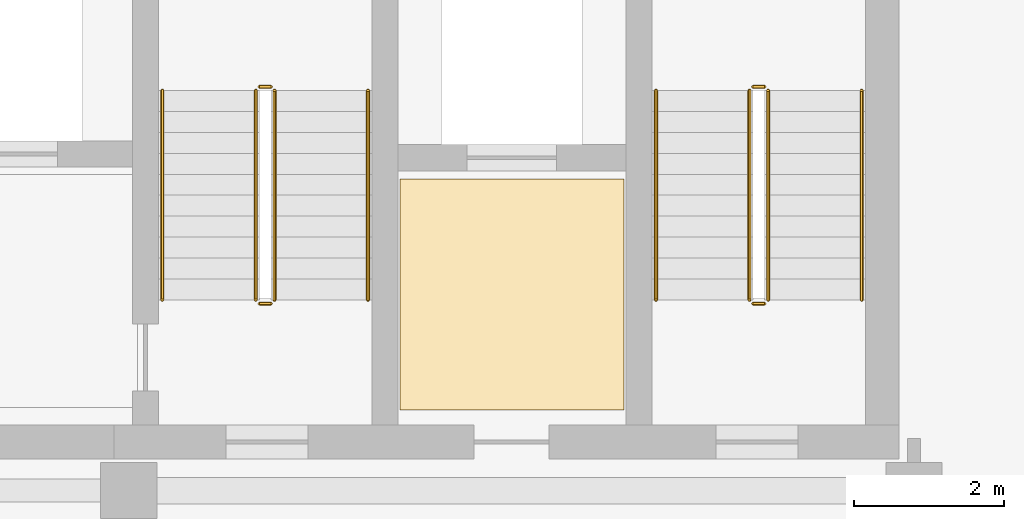
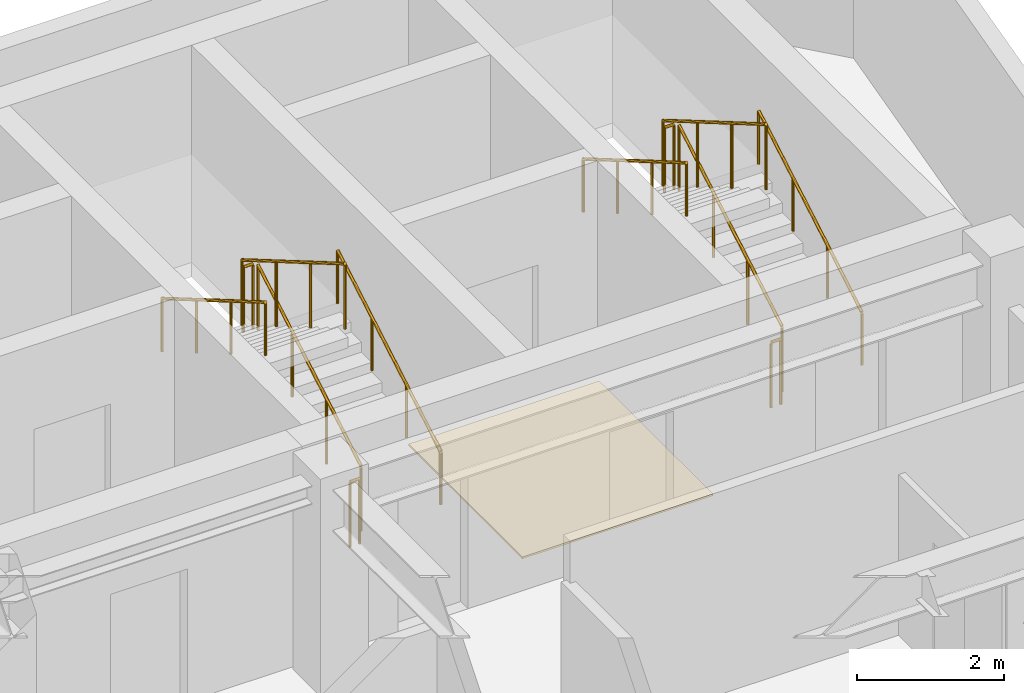
# One storey, part 20 of 20: 12 railings, 1 covering.
"""IFC4 building model written with IfcOpenShell, lengths in metres."""

import ifcopenshell
import ifcopenshell.guid

model = None  # the IFC model being written
_history = None  # IfcOwnerHistory: only IFC2X3 demands one
_inside = {}  # id of a spatial element -> (the spatial element, [elements in it])
_under = {}  # id of a project, library or spatial element -> (it, [spatial elements below it])
_declared = {}  # id of a project -> (the project, [libraries it declares])
_typed = {}  # id of a type object -> (the type object, [elements of that type])
_made_of = {}  # id of a material, layer set ... -> (it, [elements and type objects made of it])


def new_model(schema):
    """Start an empty IFC model of exactly this schema.

    Asked for "IFC4X3", IfcOpenShell would pick the latest addendum, in which some entities
    have other attributes; the version numbers below select the first issue.
    IFC2X3 requires an IfcOwnerHistory on every rooted entity: one is made here for all.
    """
    global model, _history
    if schema == "IFC4X3":
        model = ifcopenshell.file(schema_version=(4, 3, 0, 0))
    else:
        model = ifcopenshell.file(schema=schema)
    _inside.clear()
    _under.clear()
    _declared.clear()
    _typed.clear()
    _made_of.clear()
    _history = None
    if model.schema == "IFC2X3":
        org = make("IfcOrganization", Name="unknown")
        user = make(
            "IfcPersonAndOrganization",
            ThePerson=make("IfcPerson", FamilyName="unknown"),
            TheOrganization=org,
        )
        app = make(
            "IfcApplication",
            ApplicationDeveloper=org,
            Version="unknown",
            ApplicationFullName="unknown",
            ApplicationIdentifier="unknown",
        )
        _history = make(
            "IfcOwnerHistory",
            OwningUser=user,
            OwningApplication=app,
            ChangeAction="ADDED",
            CreationDate=0,
        )
    return model


def make(cls, **values):
    """One entity of the class cls with the attributes given. An attribute that is None is left unset."""
    return model.create_entity(
        cls, **{name: value for name, value in values.items() if value is not None}
    )


def rooted(cls, **values):
    """An entity with a GlobalId (a new one), such as an element, a storey or a relation."""
    return make(cls, GlobalId=ifcopenshell.guid.new(), OwnerHistory=_history, **values)


def si_unit(unit_type, name, prefix=None):
    """IfcSIUnit, for example si_unit("LENGTHUNIT", "METRE", prefix="MILLI")."""
    return make("IfcSIUnit", UnitType=unit_type, Prefix=prefix, Name=name)


def assignment(units):
    """IfcUnitAssignment: the units of a project."""
    return None if units is None else make("IfcUnitAssignment", Units=units)


def point(xyz):
    """IfcCartesianPoint."""
    return None if xyz is None else make("IfcCartesianPoint", Coordinates=xyz)


def direction(xyz):
    """IfcDirection."""
    return None if xyz is None else make("IfcDirection", DirectionRatios=xyz)


def frame(location, z_axis=None, x_axis=None):
    """IfcAxis2Placement3D, a coordinate frame: its origin and axes. An axis left out is left unset."""
    return make(
        "IfcAxis2Placement3D",
        Location=point(location),
        Axis=direction(z_axis),
        RefDirection=direction(x_axis),
    )


def frame_2d(location, x_axis=None):
    """IfcAxis2Placement2D, a coordinate frame in the plane: its origin and x axis."""
    return make(
        "IfcAxis2Placement2D", Location=point(location), RefDirection=direction(x_axis)
    )


def origin():
    """The frame at (0, 0, 0) with its axes left unset."""
    return frame((0.0, 0.0, 0.0))


def origin_2d():
    """The frame at (0, 0) in the plane with its x axis left unset."""
    return frame_2d((0.0, 0.0))


def place(relative_to, where):
    """IfcLocalPlacement: puts the frame where relative to a parent placement (None: the world)."""
    return make(
        "IfcLocalPlacement", PlacementRelTo=relative_to, RelativePlacement=where
    )


def context(
    kind, dimensions, precision=None, world=None, true_north=None, identifier=None
):
    """IfcGeometricRepresentationContext, for example the 3D "Model" context."""
    return make(
        "IfcGeometricRepresentationContext",
        ContextIdentifier=identifier,
        ContextType=kind,
        CoordinateSpaceDimension=dimensions,
        Precision=precision,
        WorldCoordinateSystem=world,
        TrueNorth=true_north,
    )


def subcontext(parent, identifier, kind, view, scale=None):
    """IfcGeometricRepresentationSubContext, for example "Body" below "Model"."""
    return make(
        "IfcGeometricRepresentationSubContext",
        ContextIdentifier=identifier,
        ContextType=kind,
        ParentContext=parent,
        TargetScale=scale,
        TargetView=view,
    )


def project(units=None, contexts=None):
    """IfcProject with its units and contexts."""
    return rooted(
        "IfcProject",
        Name="project",
        RepresentationContexts=contexts,
        UnitsInContext=assignment(units),
    )


def spatial(cls, under=None, at=None, **own):
    """A site, building, storey or space (cls), placed at a placement, below another one or the project."""
    s = rooted(cls, ObjectPlacement=at, **own)
    if under is not None:
        _under.setdefault(under.id(), (under, []))[1].append(s)
    return s


def polyline(points):
    """IfcPolyline through the points."""
    return make("IfcPolyline", Points=[point(p) for p in points])


def profile(cls, at=None, kind="AREA", **sizes):
    """A parametric profile (cls). Its sizes go by their IFC names, for example OverallWidth=200.0."""
    return make(cls, ProfileType=kind, Position=at, **sizes)


def circle(**sizes):
    """IfcCircleProfileDef."""
    return profile("IfcCircleProfileDef", **sizes)


def outline(outer, holes=None, kind="AREA"):
    """IfcArbitraryClosedProfileDef: a profile drawn as a closed curve; with holes, ...WithVoids."""
    if holes is None:
        return make("IfcArbitraryClosedProfileDef", ProfileType=kind, OuterCurve=outer)
    return make(
        "IfcArbitraryProfileDefWithVoids",
        ProfileType=kind,
        OuterCurve=outer,
        InnerCurves=holes,
    )


def extrude(swept, where, along, depth):
    """IfcExtrudedAreaSolid: the profile swept, set in the frame where, extruded along a direction by depth."""
    return make(
        "IfcExtrudedAreaSolid",
        SweptArea=swept,
        Position=where,
        ExtrudedDirection=direction(along),
        Depth=depth,
    )


def shape(context_of_items, identifier, shape_type, items):
    """IfcShapeRepresentation: the items that make up one representation, for example the "Body"."""
    return make(
        "IfcShapeRepresentation",
        ContextOfItems=context_of_items,
        RepresentationIdentifier=identifier,
        RepresentationType=shape_type,
        Items=items,
    )


def material(Name=None, Category=None):
    """IfcMaterial."""
    return make("IfcMaterial", Name=Name, Category=Category)


def layer(
    of_material, thickness, ventilated=None, Name=None, Category=None, Priority=None
):
    """IfcMaterialLayer: one layer of a wall or slab, of a material (None: an air gap)."""
    return make(
        "IfcMaterialLayer",
        Material=of_material,
        LayerThickness=thickness,
        IsVentilated=ventilated,
        Name=Name,
        Category=Category,
        Priority=Priority,
    )


def layer_set(layers, Name=None):
    """IfcMaterialLayerSet."""
    return make("IfcMaterialLayerSet", MaterialLayers=layers, LayerSetName=Name)


def made_of(thing, what):
    """Note that an element or type object is made of a material, layer set ...; save() writes the relation."""
    if what is not None:
        _made_of.setdefault(what.id(), (what, []))[1].append(thing)
    return thing


def type_object(cls, material=None, **own):
    """A type object (cls), such as IfcWallType, which elements share."""
    return made_of(rooted(cls, **own), material)


def element(
    cls,
    number,
    at=None,
    inside=None,
    cuts=None,
    type_object=None,
    material=None,
    context=None,
    identifier="Body",
    shape_type=None,
    held_by="IfcProductDefinitionShape",
    body=None,
    shapes=None,
    **own,
):
    """One element of the class cls, such as IfcWall. Its Tag is "e" and its number.

    at: its placement. inside: the storey or other place that contains it. cuts: it is an
    opening in that element (IfcRelVoidsElement). A single representation is given by context,
    identifier, shape_type and body (its items); several are given by shapes. held_by: the class
    of the entity that holds the representations. save() writes the other relations.
    """
    e = rooted(cls, Tag="e%d" % number, ObjectPlacement=at, **own)
    if body is not None:
        shapes = [shape(context, identifier, shape_type, body)]
    if shapes is not None:
        e.Representation = make(held_by, Representations=shapes)
    if inside is not None:
        _inside.setdefault(inside.id(), (inside, []))[1].append(e)
    if cuts is not None:
        rooted(
            "IfcRelVoidsElement", RelatingBuildingElement=cuts, RelatedOpeningElement=e
        )
    if type_object is not None:
        _typed.setdefault(type_object.id(), (type_object, []))[1].append(e)
    return made_of(e, material)


def aggregate(whole, parts):
    """IfcRelAggregates: a whole, such as a stair, and the parts it consists of."""
    return rooted("IfcRelAggregates", RelatingObject=whole, RelatedObjects=parts)


def save(model, path):
    """Write the relations noted so far, then the file.

    IfcRelAggregates (storeys below a building ...), IfcRelContainedInSpatialStructure (elements
    in a storey), IfcRelDefinesByType, IfcRelAssociatesMaterial and IfcRelDeclares: one each for
    every whole, place, type object, material and project.
    """
    for whole, parts in _under.values():
        aggregate(whole, parts)
    for where, things in _inside.values():
        rooted(
            "IfcRelContainedInSpatialStructure",
            RelatedElements=things,
            RelatingStructure=where,
        )
    for kind, things in _typed.values():
        rooted("IfcRelDefinesByType", RelatedObjects=things, RelatingType=kind)
    for what, things in _made_of.values():
        rooted("IfcRelAssociatesMaterial", RelatedObjects=things, RelatingMaterial=what)
    for by, libraries in _declared.values():
        rooted("IfcRelDeclares", RelatingContext=by, RelatedDefinitions=libraries)
    model.write(path)


model = new_model("IFC4")

# Units and contexts
model_context = context("Model", 3, precision=1e-05, world=origin(), true_north=direction((0.0, 1.0)))
body_context = subcontext(model_context, "Body", "Model", "MODEL_VIEW")
ifc_project = project(units=[si_unit("LENGTHUNIT", "METRE"), si_unit("AREAUNIT", "SQUARE_METRE"), si_unit("VOLUMEUNIT", "CUBIC_METRE"), si_unit("PLANEANGLEUNIT", "RADIAN"), si_unit("MASSUNIT", "GRAM", prefix="KILO")], contexts=[model_context])

# Site, building, storey
site_placement = place(None, origin())
site = spatial("IfcSite", under=ifc_project, at=site_placement, CompositionType="ELEMENT")
building_placement = place(site_placement, origin())
building = spatial("IfcBuilding", under=site, at=building_placement, Name="Kravanh Interchange Tower", CompositionType="ELEMENT")
storey_placement = place(building_placement, frame((0.0, 0.0, 252.60009765625)))
storey = spatial("IfcBuildingStorey", under=building, at=storey_placement, Name="L61", CompositionType="ELEMENT", Elevation=252.60009765625)

# Covering
ifc_material_1 = material(Name="Cementitious Terrazzo Tile")
ifc_layer_1 = layer(ifc_material_1, 0.030029296875)
ifc_layer_set_1 = layer_set([ifc_layer_1], Name="Honed Terrazzo Lobby Flooring 30mm")
covering_type = type_object("IfcCoveringType", Name="Honed Terrazzo Lobby Flooring 30mm", PredefinedType="FLOORING", material=ifc_layer_set_1)
covering_placement = place(storey_placement, origin())
element("IfcCovering", 1, at=covering_placement, inside=storey, type_object=covering_type, Name="L61 Service Lift Lobby Floor Finish", PredefinedType="FLOORING", context=body_context, shape_type="SweptSolid", body=[
    extrude(outline(polyline([(59.6298828125, 41.52001953125), (62.6201171875, 41.52001953125), (62.6201171875, 38.429931640625), (59.6298828125, 38.429931640625), (59.6298828125, 41.52001953125)])), origin(), (0.0, 0.0, 1.0), 0.02978515625),
])

# Railings
ifc_material_2 = material(Name="Structural Steel S355", Category="steel")
ifc_layer_2 = layer(ifc_material_2, 0.050048828125)
ifc_layer_set_2 = layer_set([ifc_layer_2], Name="Stair Well Guardrail Structural Steel S355 1100mm")
railing_type_1 = type_object("IfcRailingType", Name="Stair Well Guardrail Structural Steel S355 1100mm", PredefinedType="GUARDRAIL", material=ifc_layer_set_2)
railing_1_placement = place(storey_placement, frame((64.550048828125, 39.89990234375, 0.16357421875)))
element("IfcRailing", 2, at=railing_1_placement, inside=storey, type_object=railing_type_1, Name="L61 ST1 stair guard 1", PredefinedType="GUARDRAIL", context=body_context, shape_type="SweptSolid", body=[
    extrude(circle(Radius=0.02392578125, at=origin_2d()), frame((0.0, 0.0, 1.076171875), z_axis=(0.0, 0.863393664356, 0.504530851732), x_axis=(-1.0, 0.0, 0.0)), (0.0, 0.0, 1.0), 3.2431640625),
    extrude(circle(Radius=0.02099609375, at=origin_2d()), origin(), (0.0, 0.0, 1.0), 1.052001953125),
    extrude(circle(Radius=0.02099609375, at=origin_2d()), frame((0.0, 0.933349609375, 0.54541015625)), (0.0, 0.0, 1.0), 1.052001953125),
    extrude(circle(Radius=0.02099609375, at=origin_2d()), frame((0.0, 1.86669921875, 1.0908203125)), (0.0, 0.0, 1.0), 1.052001953125),
    extrude(circle(Radius=0.02099609375, at=origin_2d()), frame((0.0, 2.800048828125, 1.63623046875)), (0.0, 0.0, 1.0), 1.052001953125),
])
railing_2_placement = place(storey_placement, frame((64.5, 42.75, 1.7998046875)))
element("IfcRailing", 3, at=railing_2_placement, inside=storey, type_object=railing_type_1, Name="L61 ST1 stair guard 2", PredefinedType="GUARDRAIL", context=body_context, shape_type="SweptSolid", body=[
    extrude(circle(Radius=0.02392578125, at=origin_2d()), frame((0.0, 0.0, 1.076171875), z_axis=(-1.0, 0.0, 0.0), x_axis=(0.0, -1.0, 0.0)), (0.0, 0.0, 1.0), 0.14990234375),
    extrude(circle(Radius=0.02099609375, at=origin_2d()), origin(), (0.0, 0.0, 1.0), 1.052001953125),
    extrude(circle(Radius=0.02099609375, at=origin_2d()), frame((-0.14990234375, 0.0, 0.0)), (0.0, 0.0, 1.0), 1.052001953125),
])
railing_3_placement = place(storey_placement, frame((64.300048828125, 42.699951171875, 1.963623046875)))
element("IfcRailing", 4, at=railing_3_placement, inside=storey, type_object=railing_type_1, Name="L61 ST1 stair guard 3", PredefinedType="GUARDRAIL", context=body_context, shape_type="SweptSolid", body=[
    extrude(circle(Radius=0.02392578125, at=origin_2d()), frame((0.0, 0.0, 1.076171875), z_axis=(0.0, -0.863393664356, 0.504530851732), x_axis=(1.0, 0.0, 0.0)), (0.0, 0.0, 1.0), 3.2431640625),
    extrude(circle(Radius=0.02099609375, at=origin_2d()), origin(), (0.0, 0.0, 1.0), 1.052001953125),
    extrude(circle(Radius=0.02099609375, at=origin_2d()), frame((0.0, -0.933349609375, 0.54541015625)), (0.0, 0.0, 1.0), 1.052001953125),
    extrude(circle(Radius=0.02099609375, at=origin_2d()), frame((0.0, -1.86669921875, 1.0908203125)), (0.0, 0.0, 1.0), 1.052001953125),
    extrude(circle(Radius=0.02099609375, at=origin_2d()), frame((0.0, -2.800048828125, 1.63623046875)), (0.0, 0.0, 1.0), 1.052001953125),
])
railing_4_placement = place(storey_placement, frame((64.5, 39.85009765625, 0.0)))
element("IfcRailing", 5, at=railing_4_placement, inside=storey, type_object=railing_type_1, Name="L61 ST1 stair guard 4", PredefinedType="GUARDRAIL", context=body_context, shape_type="SweptSolid", body=[
    extrude(circle(Radius=0.02392578125, at=origin_2d()), frame((0.0, 0.0, 1.076171875), z_axis=(-1.0, 0.0, 0.0), x_axis=(0.0, -1.0, 0.0)), (0.0, 0.0, 1.0), 0.14990234375),
    extrude(circle(Radius=0.02099609375, at=origin_2d()), origin(), (0.0, 0.0, 1.0), 1.052001953125),
    extrude(circle(Radius=0.02099609375, at=origin_2d()), frame((-0.14990234375, 0.0, 0.0)), (0.0, 0.0, 1.0), 1.052001953125),
])
railing_5_placement = place(storey_placement, frame((57.949951171875, 39.89990234375, 0.16357421875)))
element("IfcRailing", 6, at=railing_5_placement, inside=storey, type_object=railing_type_1, Name="L61 ST2 stair guard 1", PredefinedType="GUARDRAIL", context=body_context, shape_type="SweptSolid", body=[
    extrude(circle(Radius=0.02392578125, at=origin_2d()), frame((0.0, 0.0, 1.076171875), z_axis=(0.0, 0.863393664356, 0.504530851732), x_axis=(-1.0, 0.0, 0.0)), (0.0, 0.0, 1.0), 3.2431640625),
    extrude(circle(Radius=0.02099609375, at=origin_2d()), origin(), (0.0, 0.0, 1.0), 1.052001953125),
    extrude(circle(Radius=0.02099609375, at=origin_2d()), frame((0.0, 0.933349609375, 0.54541015625)), (0.0, 0.0, 1.0), 1.052001953125),
    extrude(circle(Radius=0.02099609375, at=origin_2d()), frame((0.0, 1.86669921875, 1.0908203125)), (0.0, 0.0, 1.0), 1.052001953125),
    extrude(circle(Radius=0.02099609375, at=origin_2d()), frame((0.0, 2.800048828125, 1.63623046875)), (0.0, 0.0, 1.0), 1.052001953125),
])
railing_6_placement = place(storey_placement, frame((57.89990234375, 42.75, 1.7998046875)))
element("IfcRailing", 7, at=railing_6_placement, inside=storey, type_object=railing_type_1, Name="L61 ST2 stair guard 2", PredefinedType="GUARDRAIL", context=body_context, shape_type="SweptSolid", body=[
    extrude(circle(Radius=0.02392578125, at=origin_2d()), frame((0.0, 0.0, 1.076171875), z_axis=(-1.0, 0.0, 0.0), x_axis=(0.0, -1.0, 0.0)), (0.0, 0.0, 1.0), 0.14990234375),
    extrude(circle(Radius=0.02099609375, at=origin_2d()), origin(), (0.0, 0.0, 1.0), 1.052001953125),
    extrude(circle(Radius=0.02099609375, at=origin_2d()), frame((-0.14990234375, 0.0, 0.0)), (0.0, 0.0, 1.0), 1.052001953125),
])
railing_7_placement = place(storey_placement, frame((57.699951171875, 42.699951171875, 1.963623046875)))
element("IfcRailing", 8, at=railing_7_placement, inside=storey, type_object=railing_type_1, Name="L61 ST2 stair guard 3", PredefinedType="GUARDRAIL", context=body_context, shape_type="SweptSolid", body=[
    extrude(circle(Radius=0.02392578125, at=origin_2d()), frame((0.0, 0.0, 1.076171875), z_axis=(0.0, -0.863393664356, 0.504530851732), x_axis=(1.0, 0.0, 0.0)), (0.0, 0.0, 1.0), 3.2431640625),
    extrude(circle(Radius=0.02099609375, at=origin_2d()), origin(), (0.0, 0.0, 1.0), 1.052001953125),
    extrude(circle(Radius=0.02099609375, at=origin_2d()), frame((0.0, -0.933349609375, 0.54541015625)), (0.0, 0.0, 1.0), 1.052001953125),
    extrude(circle(Radius=0.02099609375, at=origin_2d()), frame((0.0, -1.86669921875, 1.0908203125)), (0.0, 0.0, 1.0), 1.052001953125),
    extrude(circle(Radius=0.02099609375, at=origin_2d()), frame((0.0, -2.800048828125, 1.63623046875)), (0.0, 0.0, 1.0), 1.052001953125),
])
railing_8_placement = place(storey_placement, frame((57.89990234375, 39.85009765625, 0.0)))
element("IfcRailing", 9, at=railing_8_placement, inside=storey, type_object=railing_type_1, Name="L61 ST2 stair guard 4", PredefinedType="GUARDRAIL", context=body_context, shape_type="SweptSolid", body=[
    extrude(circle(Radius=0.02392578125, at=origin_2d()), frame((0.0, 0.0, 1.076171875), z_axis=(-1.0, 0.0, 0.0), x_axis=(0.0, -1.0, 0.0)), (0.0, 0.0, 1.0), 0.14990234375),
    extrude(circle(Radius=0.02099609375, at=origin_2d()), origin(), (0.0, 0.0, 1.0), 1.052001953125),
    extrude(circle(Radius=0.02099609375, at=origin_2d()), frame((-0.14990234375, 0.0, 0.0)), (0.0, 0.0, 1.0), 1.052001953125),
])
ifc_material_3 = material(Name="Stainless Steel 304", Category="steel")
ifc_layer_3 = layer(ifc_material_3, 0.044921875)
ifc_layer_set_3 = layer_set([ifc_layer_3], Name="Tubular Stair Handrail Stainless 304 900mm")
railing_type_2 = type_object("IfcRailingType", Name="Tubular Stair Handrail Stainless 304 900mm", PredefinedType="HANDRAIL", material=ifc_layer_set_3)
railing_9_placement = place(storey_placement, frame((65.800048828125, 39.89990234375, 0.16357421875)))
element("IfcRailing", 10, at=railing_9_placement, inside=storey, type_object=railing_type_2, Name="L61 ST1 stair handrail 1", PredefinedType="HANDRAIL", context=body_context, shape_type="SweptSolid", body=[
    extrude(circle(Radius=0.02392578125, at=origin_2d()), frame((0.0, 0.0, 0.8759765625), z_axis=(0.0, 0.863393664356, 0.504530851732), x_axis=(-1.0, 0.0, 0.0)), (0.0, 0.0, 1.0), 3.2431640625),
    extrude(circle(Radius=0.02099609375, at=origin_2d()), origin(), (0.0, 0.0, 1.0), 0.851806640625),
    extrude(circle(Radius=0.02099609375, at=origin_2d()), frame((0.0, 0.933349609375, 0.54541015625)), (0.0, 0.0, 1.0), 0.851806640625),
    extrude(circle(Radius=0.02099609375, at=origin_2d()), frame((0.0, 1.86669921875, 1.0908203125)), (0.0, 0.0, 1.0), 0.851806640625),
    extrude(circle(Radius=0.02099609375, at=origin_2d()), frame((0.0, 2.800048828125, 1.63623046875)), (0.0, 0.0, 1.0), 0.851806640625),
])
railing_10_placement = place(storey_placement, frame((63.050048828125, 42.699951171875, 1.963623046875)))
element("IfcRailing", 11, at=railing_10_placement, inside=storey, type_object=railing_type_2, Name="L61 ST1 stair handrail 2", PredefinedType="HANDRAIL", context=body_context, shape_type="SweptSolid", body=[
    extrude(circle(Radius=0.02392578125, at=origin_2d()), frame((0.0, 0.0, 0.8759765625), z_axis=(0.0, -0.863393664356, 0.504530851732), x_axis=(1.0, 0.0, 0.0)), (0.0, 0.0, 1.0), 3.2431640625),
    extrude(circle(Radius=0.02099609375, at=origin_2d()), origin(), (0.0, 0.0, 1.0), 0.851806640625),
    extrude(circle(Radius=0.02099609375, at=origin_2d()), frame((0.0, -0.933349609375, 0.54541015625)), (0.0, 0.0, 1.0), 0.851806640625),
    extrude(circle(Radius=0.02099609375, at=origin_2d()), frame((0.0, -1.86669921875, 1.0908203125)), (0.0, 0.0, 1.0), 0.851806640625),
    extrude(circle(Radius=0.02099609375, at=origin_2d()), frame((0.0, -2.800048828125, 1.63623046875)), (0.0, 0.0, 1.0), 0.851806640625),
])
railing_11_placement = place(storey_placement, frame((59.199951171875, 39.89990234375, 0.16357421875)))
element("IfcRailing", 12, at=railing_11_placement, inside=storey, type_object=railing_type_2, Name="L61 ST2 stair handrail 1", PredefinedType="HANDRAIL", context=body_context, shape_type="SweptSolid", body=[
    extrude(circle(Radius=0.02392578125, at=origin_2d()), frame((0.0, 0.0, 0.8759765625), z_axis=(0.0, 0.863393664356, 0.504530851732), x_axis=(-1.0, 0.0, 0.0)), (0.0, 0.0, 1.0), 3.2431640625),
    extrude(circle(Radius=0.02099609375, at=origin_2d()), origin(), (0.0, 0.0, 1.0), 0.851806640625),
    extrude(circle(Radius=0.02099609375, at=origin_2d()), frame((0.0, 0.933349609375, 0.54541015625)), (0.0, 0.0, 1.0), 0.851806640625),
    extrude(circle(Radius=0.02099609375, at=origin_2d()), frame((0.0, 1.86669921875, 1.0908203125)), (0.0, 0.0, 1.0), 0.851806640625),
    extrude(circle(Radius=0.02099609375, at=origin_2d()), frame((0.0, 2.800048828125, 1.63623046875)), (0.0, 0.0, 1.0), 0.851806640625),
])
railing_12_placement = place(storey_placement, frame((56.449951171875, 42.699951171875, 1.963623046875)))
element("IfcRailing", 13, at=railing_12_placement, inside=storey, type_object=railing_type_2, Name="L61 ST2 stair handrail 2", PredefinedType="HANDRAIL", context=body_context, shape_type="SweptSolid", body=[
    extrude(circle(Radius=0.02392578125, at=origin_2d()), frame((0.0, 0.0, 0.8759765625), z_axis=(0.0, -0.863393664356, 0.504530851732), x_axis=(1.0, 0.0, 0.0)), (0.0, 0.0, 1.0), 3.2431640625),
    extrude(circle(Radius=0.02099609375, at=origin_2d()), origin(), (0.0, 0.0, 1.0), 0.851806640625),
    extrude(circle(Radius=0.02099609375, at=origin_2d()), frame((0.0, -0.933349609375, 0.54541015625)), (0.0, 0.0, 1.0), 0.851806640625),
    extrude(circle(Radius=0.02099609375, at=origin_2d()), frame((0.0, -1.86669921875, 1.0908203125)), (0.0, 0.0, 1.0), 0.851806640625),
    extrude(circle(Radius=0.02099609375, at=origin_2d()), frame((0.0, -2.800048828125, 1.63623046875)), (0.0, 0.0, 1.0), 0.851806640625),
])

save(model, "model.ifc")
